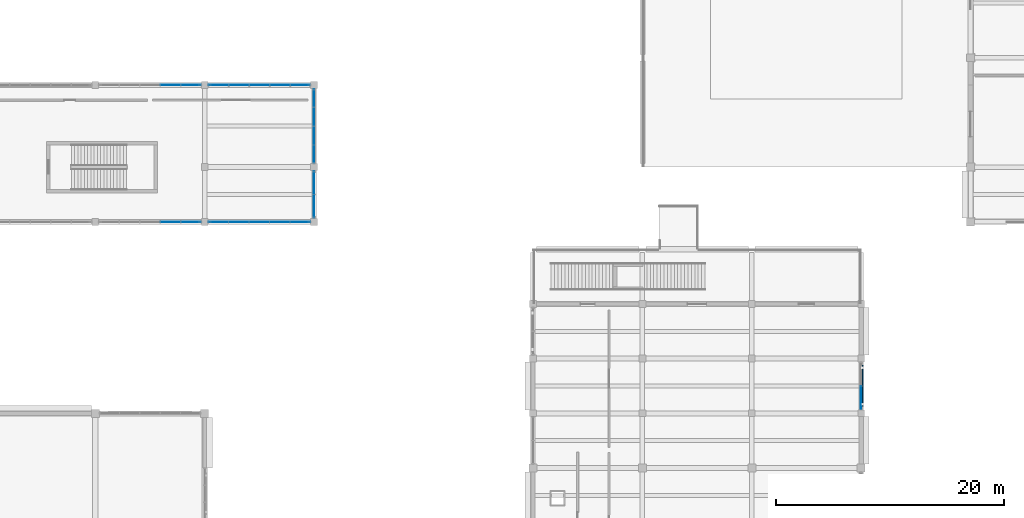
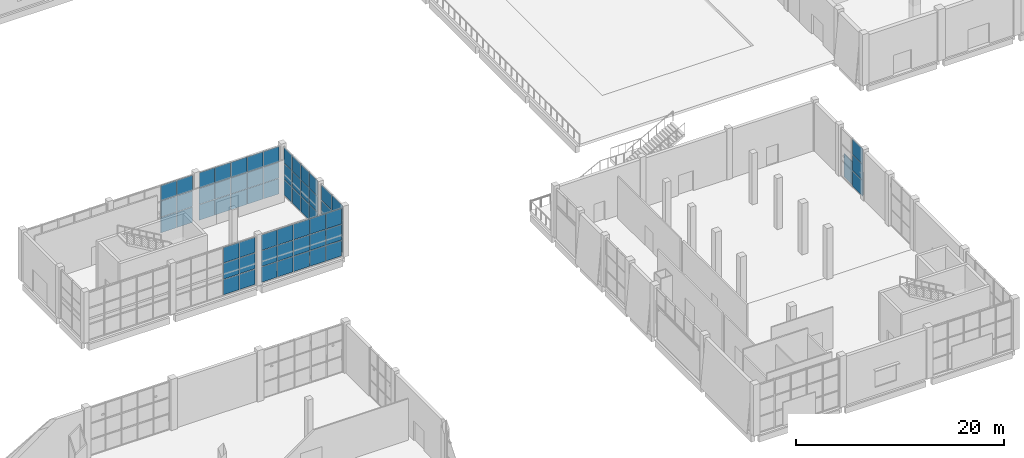
# One storey, part 44 of 84: 64 plates, 7 elements without a shape of their own.
"""IFC4 building model written with IfcOpenShell, lengths in metres."""

from ifc_helpers import new_model, si_unit, direction, frame, origin, origin_2d, place, context, subcontext, project, spatial, rectangle, extrude, material, layer, layer_set, type_object, element, aggregate, save


model = new_model("IFC4")

# Units and contexts
model_context = context("Model", 3, precision=1e-05, world=origin(), true_north=direction((0.0, 1.0)))
body_context = subcontext(model_context, "Body", "Model", "MODEL_VIEW")
ifc_project = project(units=[si_unit("LENGTHUNIT", "METRE"), si_unit("AREAUNIT", "SQUARE_METRE"), si_unit("VOLUMEUNIT", "CUBIC_METRE"), si_unit("PLANEANGLEUNIT", "RADIAN"), si_unit("MASSUNIT", "GRAM", prefix="KILO")], contexts=[model_context])

# Site, building, storey
site_placement = place(None, origin())
site = spatial("IfcSite", under=ifc_project, at=site_placement, CompositionType="ELEMENT")
building_placement = place(site_placement, origin())
building = spatial("IfcBuilding", under=site, at=building_placement, Name="Shalvenor Court Art Gallery", CompositionType="ELEMENT")
storey_placement = place(building_placement, origin())
storey = spatial("IfcBuildingStorey", under=building, at=storey_placement, Name="L00", CompositionType="ELEMENT", Elevation=0.0)

# Curtain wall, plates
ifc_material_1 = material(Name="Anodised aluminium and low-iron glass curtain wall", Category="aluminium")
curtain_wall_type_1 = type_object("IfcCurtainWallType", Name="CW-2x3-42-57-412", PredefinedType="USERDEFINED", material=ifc_material_1)
curtain_wall_1_placement = place(storey_placement, origin())
curtain_wall_1 = element("IfcCurtainWall", 1, at=curtain_wall_1_placement, inside=storey, type_object=curtain_wall_type_1, Name="L00 V3 Curtain Wall CW-L00-090", ObjectType="CURTAIN WALL", PredefinedType="USERDEFINED")
ifc_material_2 = material(Name="Low-iron triple-silver solar gallery glazing IGU", Category="glass")
ifc_layer_1 = layer(ifc_material_2, 0.031982421875, Name="Low-iron triple-silver solar gallery glazing IGU")
ifc_layer_set_1 = layer_set([ifc_layer_1], Name="Low-iron triple-silver solar gallery glazing IGU")
plate_type_1 = type_object("IfcPlateType", Name="CWP-02", PredefinedType="CURTAIN_PANEL", material=ifc_layer_set_1)
plate_1_placement = place(storey_placement, frame((124.800048828125, 30.168701171875, 0.06005859375), z_axis=(0.0, 0.0, 1.0), x_axis=(0.0, -1.0, 0.0)))
plate_1 = element("IfcPlate", 2, at=plate_1_placement, type_object=plate_type_1, Name="CW-2x3-42-57-412 panel 2.1", PredefinedType="CURTAIN_PANEL", context=body_context, shape_type="SweptSolid", body=[
    extrude(rectangle(XDim=1.987548828125, YDim=0.031982421875, at=origin_2d()), origin(), (0.0, 0.0, 1.0), 1.80322265625),
])
plate_2_placement = place(storey_placement, frame((124.800048828125, 30.168701171875, 1.92333984375), z_axis=(0.0, 0.0, 1.0), x_axis=(0.0, -1.0, 0.0)))
plate_2 = element("IfcPlate", 3, at=plate_2_placement, type_object=plate_type_1, Name="CW-2x3-42-57-412 panel 2.2", PredefinedType="CURTAIN_PANEL", context=body_context, shape_type="SweptSolid", body=[
    extrude(rectangle(XDim=1.987548828125, YDim=0.031982421875, at=origin_2d()), origin(), (0.0, 0.0, 1.0), 1.833251953125),
])
plate_3_placement = place(storey_placement, frame((124.800048828125, 30.168701171875, 3.816650390625), z_axis=(0.0, 0.0, 1.0), x_axis=(0.0, -1.0, 0.0)))
plate_3 = element("IfcPlate", 4, at=plate_3_placement, type_object=plate_type_1, Name="CW-2x3-42-57-412 panel 2.3", PredefinedType="CURTAIN_PANEL", context=body_context, shape_type="SweptSolid", body=[
    extrude(rectangle(XDim=1.987548828125, YDim=0.031982421875, at=origin_2d()), origin(), (0.0, 0.0, 1.0), 1.80322265625),
])
aggregate(curtain_wall_1, [plate_1, plate_2, plate_3])

ifc_material_3 = material(Name="Anodised aluminium and low-iron glass curtain wall", Category="aluminium")
curtain_wall_type_2 = type_object("IfcCurtainWallType", Name="CW-5x3-90-57-646", PredefinedType="USERDEFINED", material=ifc_material_3)
curtain_wall_2_placement = place(storey_placement, origin())
curtain_wall_2 = element("IfcCurtainWall", 5, at=curtain_wall_2_placement, inside=storey, type_object=curtain_wall_type_2, Name="L00 V6 Curtain Wall CW-L00-191", ObjectType="CURTAIN WALL", PredefinedType="USERDEFINED")
ifc_material_4 = material(Name="Solar-control laminated cloister glazing IGU", Category="glass")
ifc_layer_2 = layer(ifc_material_4, 0.0439453125, Name="Solar-control laminated cloister glazing IGU")
ifc_layer_set_2 = layer_set([ifc_layer_2], Name="Solar-control laminated cloister glazing IGU")
plate_type_2 = type_object("IfcPlateType", Name="CWP-06", PredefinedType="CURTAIN_PANEL", material=ifc_layer_set_2)
plate_4_placement = place(storey_placement, frame((64.199951171875, 57.60009765625, 0.06982421875), z_axis=(0.0, 0.0, 1.0), x_axis=(1.0, 0.0, 0.0)))
plate_4 = element("IfcPlate", 6, at=plate_4_placement, type_object=plate_type_2, Name="CW-5x3-90-57-646 panel 4.1", PredefinedType="CURTAIN_PANEL", context=body_context, shape_type="SweptSolid", body=[
    extrude(rectangle(XDim=1.7451171875, YDim=0.0439453125, at=origin_2d()), origin(), (0.0, 0.0, 1.0), 1.788330078125),
])
plate_5_placement = place(storey_placement, frame((64.199951171875, 57.60009765625, 1.928466796875), z_axis=(0.0, 0.0, 1.0), x_axis=(1.0, 0.0, 0.0)))
plate_5 = element("IfcPlate", 7, at=plate_5_placement, type_object=plate_type_2, Name="CW-5x3-90-57-646 panel 4.2", PredefinedType="CURTAIN_PANEL", context=body_context, shape_type="SweptSolid", body=[
    extrude(rectangle(XDim=1.7451171875, YDim=0.0439453125, at=origin_2d()), origin(), (0.0, 0.0, 1.0), 1.8232421875),
])
plate_6_placement = place(storey_placement, frame((64.199951171875, 57.60009765625, 3.82177734375), z_axis=(0.0, 0.0, 1.0), x_axis=(1.0, 0.0, 0.0)))
plate_6 = element("IfcPlate", 8, at=plate_6_placement, type_object=plate_type_2, Name="CW-5x3-90-57-646 panel 4.3", PredefinedType="CURTAIN_PANEL", context=body_context, shape_type="SweptSolid", body=[
    extrude(rectangle(XDim=1.7451171875, YDim=0.0439453125, at=origin_2d()), origin(), (0.0, 0.0, 1.0), 1.788330078125),
])
plate_7_placement = place(storey_placement, frame((65.986328125, 57.60009765625, 0.06982421875), z_axis=(0.0, 0.0, 1.0), x_axis=(1.0, 0.0, 0.0)))
plate_7 = element("IfcPlate", 9, at=plate_7_placement, type_object=plate_type_2, Name="CW-5x3-90-57-646 panel 5.1", PredefinedType="CURTAIN_PANEL", context=body_context, shape_type="SweptSolid", body=[
    extrude(rectangle(XDim=1.717529296875, YDim=0.0439453125, at=origin_2d()), origin(), (0.0, 0.0, 1.0), 1.788330078125),
])
plate_8_placement = place(storey_placement, frame((65.986328125, 57.60009765625, 1.928466796875), z_axis=(0.0, 0.0, 1.0), x_axis=(1.0, 0.0, 0.0)))
plate_8 = element("IfcPlate", 10, at=plate_8_placement, type_object=plate_type_2, Name="CW-5x3-90-57-646 panel 5.2", PredefinedType="CURTAIN_PANEL", context=body_context, shape_type="SweptSolid", body=[
    extrude(rectangle(XDim=1.717529296875, YDim=0.0439453125, at=origin_2d()), origin(), (0.0, 0.0, 1.0), 1.8232421875),
])
plate_9_placement = place(storey_placement, frame((65.986328125, 57.60009765625, 3.82177734375), z_axis=(0.0, 0.0, 1.0), x_axis=(1.0, 0.0, 0.0)))
plate_9 = element("IfcPlate", 11, at=plate_9_placement, type_object=plate_type_2, Name="CW-5x3-90-57-646 panel 5.3", PredefinedType="CURTAIN_PANEL", context=body_context, shape_type="SweptSolid", body=[
    extrude(rectangle(XDim=1.717529296875, YDim=0.0439453125, at=origin_2d()), origin(), (0.0, 0.0, 1.0), 1.788330078125),
])
aggregate(curtain_wall_2, [plate_4, plate_5, plate_6, plate_7, plate_8, plate_9])

ifc_material_5 = material(Name="Anodised aluminium and low-iron glass curtain wall", Category="aluminium")
curtain_wall_type_3 = type_object("IfcCurtainWallType", Name="CW-5x3-90-57-116", PredefinedType="USERDEFINED", material=ifc_material_5)
curtain_wall_3_placement = place(storey_placement, origin())
curtain_wall_3 = element("IfcCurtainWall", 12, at=curtain_wall_3_placement, inside=storey, type_object=curtain_wall_type_3, Name="L00 V6 Curtain Wall CW-L00-192", ObjectType="CURTAIN WALL", PredefinedType="USERDEFINED")
plate_10_placement = place(storey_placement, frame((68.416259765625, 57.60009765625, 0.06005859375), z_axis=(0.0, 0.0, 1.0), x_axis=(1.0, 0.0, 0.0)))
plate_10 = element("IfcPlate", 13, at=plate_10_placement, type_object=plate_type_2, Name="CW-5x3-90-57-116 panel 1.1", PredefinedType="CURTAIN_PANEL", context=body_context, shape_type="SweptSolid", body=[
    extrude(rectangle(XDim=1.702392578125, YDim=0.0439453125, at=origin_2d()), origin(), (0.0, 0.0, 1.0), 1.80322265625),
])
plate_11_placement = place(storey_placement, frame((68.416259765625, 57.60009765625, 1.92333984375), z_axis=(0.0, 0.0, 1.0), x_axis=(1.0, 0.0, 0.0)))
plate_11 = element("IfcPlate", 14, at=plate_11_placement, type_object=plate_type_2, Name="CW-5x3-90-57-116 panel 1.2", PredefinedType="CURTAIN_PANEL", context=body_context, shape_type="SweptSolid", body=[
    extrude(rectangle(XDim=1.702392578125, YDim=0.0439453125, at=origin_2d()), origin(), (0.0, 0.0, 1.0), 1.833251953125),
])
plate_12_placement = place(storey_placement, frame((68.416259765625, 57.60009765625, 3.816650390625), z_axis=(0.0, 0.0, 1.0), x_axis=(1.0, 0.0, 0.0)))
plate_12 = element("IfcPlate", 15, at=plate_12_placement, type_object=plate_type_2, Name="CW-5x3-90-57-116 panel 1.3", PredefinedType="CURTAIN_PANEL", context=body_context, shape_type="SweptSolid", body=[
    extrude(rectangle(XDim=1.702392578125, YDim=0.0439453125, at=origin_2d()), origin(), (0.0, 0.0, 1.0), 1.80322265625),
])
plate_13_placement = place(storey_placement, frame((70.199951171875, 57.60009765625, 0.06005859375), z_axis=(0.0, 0.0, 1.0), x_axis=(1.0, 0.0, 0.0)))
plate_13 = element("IfcPlate", 16, at=plate_13_placement, type_object=plate_type_2, Name="CW-5x3-90-57-116 panel 2.1", PredefinedType="CURTAIN_PANEL", context=body_context, shape_type="SweptSolid", body=[
    extrude(rectangle(XDim=1.735107421875, YDim=0.0439453125, at=origin_2d()), origin(), (0.0, 0.0, 1.0), 1.80322265625),
])
plate_14_placement = place(storey_placement, frame((70.199951171875, 57.60009765625, 1.92333984375), z_axis=(0.0, 0.0, 1.0), x_axis=(1.0, 0.0, 0.0)))
plate_14 = element("IfcPlate", 17, at=plate_14_placement, type_object=plate_type_2, Name="CW-5x3-90-57-116 panel 2.2", PredefinedType="CURTAIN_PANEL", context=body_context, shape_type="SweptSolid", body=[
    extrude(rectangle(XDim=1.735107421875, YDim=0.0439453125, at=origin_2d()), origin(), (0.0, 0.0, 1.0), 1.833251953125),
])
plate_15_placement = place(storey_placement, frame((70.199951171875, 57.60009765625, 3.816650390625), z_axis=(0.0, 0.0, 1.0), x_axis=(1.0, 0.0, 0.0)))
plate_15 = element("IfcPlate", 18, at=plate_15_placement, type_object=plate_type_2, Name="CW-5x3-90-57-116 panel 2.3", PredefinedType="CURTAIN_PANEL", context=body_context, shape_type="SweptSolid", body=[
    extrude(rectangle(XDim=1.735107421875, YDim=0.0439453125, at=origin_2d()), origin(), (0.0, 0.0, 1.0), 1.80322265625),
])
plate_16_placement = place(storey_placement, frame((72.0, 57.60009765625, 0.06005859375), z_axis=(0.0, 0.0, 1.0), x_axis=(1.0, 0.0, 0.0)))
plate_16 = element("IfcPlate", 19, at=plate_16_placement, type_object=plate_type_2, Name="CW-5x3-90-57-116 panel 3.1", PredefinedType="CURTAIN_PANEL", context=body_context, shape_type="SweptSolid", body=[
    extrude(rectangle(XDim=1.735107421875, YDim=0.0439453125, at=origin_2d()), origin(), (0.0, 0.0, 1.0), 1.80322265625),
])
plate_17_placement = place(storey_placement, frame((72.0, 57.60009765625, 1.92333984375), z_axis=(0.0, 0.0, 1.0), x_axis=(1.0, 0.0, 0.0)))
plate_17 = element("IfcPlate", 20, at=plate_17_placement, type_object=plate_type_2, Name="CW-5x3-90-57-116 panel 3.2", PredefinedType="CURTAIN_PANEL", context=body_context, shape_type="SweptSolid", body=[
    extrude(rectangle(XDim=1.735107421875, YDim=0.0439453125, at=origin_2d()), origin(), (0.0, 0.0, 1.0), 1.833251953125),
])
plate_18_placement = place(storey_placement, frame((72.0, 57.60009765625, 3.816650390625), z_axis=(0.0, 0.0, 1.0), x_axis=(1.0, 0.0, 0.0)))
plate_18 = element("IfcPlate", 21, at=plate_18_placement, type_object=plate_type_2, Name="CW-5x3-90-57-116 panel 3.3", PredefinedType="CURTAIN_PANEL", context=body_context, shape_type="SweptSolid", body=[
    extrude(rectangle(XDim=1.735107421875, YDim=0.0439453125, at=origin_2d()), origin(), (0.0, 0.0, 1.0), 1.80322265625),
])
plate_19_placement = place(storey_placement, frame((73.800048828125, 57.60009765625, 0.06005859375), z_axis=(0.0, 0.0, 1.0), x_axis=(1.0, 0.0, 0.0)))
plate_19 = element("IfcPlate", 22, at=plate_19_placement, type_object=plate_type_2, Name="CW-5x3-90-57-116 panel 4.1", PredefinedType="CURTAIN_PANEL", context=body_context, shape_type="SweptSolid", body=[
    extrude(rectangle(XDim=1.735107421875, YDim=0.0439453125, at=origin_2d()), origin(), (0.0, 0.0, 1.0), 1.80322265625),
])
plate_20_placement = place(storey_placement, frame((73.800048828125, 57.60009765625, 1.92333984375), z_axis=(0.0, 0.0, 1.0), x_axis=(1.0, 0.0, 0.0)))
plate_20 = element("IfcPlate", 23, at=plate_20_placement, type_object=plate_type_2, Name="CW-5x3-90-57-116 panel 4.2", PredefinedType="CURTAIN_PANEL", context=body_context, shape_type="SweptSolid", body=[
    extrude(rectangle(XDim=1.735107421875, YDim=0.0439453125, at=origin_2d()), origin(), (0.0, 0.0, 1.0), 1.833251953125),
])
plate_21_placement = place(storey_placement, frame((73.800048828125, 57.60009765625, 3.816650390625), z_axis=(0.0, 0.0, 1.0), x_axis=(1.0, 0.0, 0.0)))
plate_21 = element("IfcPlate", 24, at=plate_21_placement, type_object=plate_type_2, Name="CW-5x3-90-57-116 panel 4.3", PredefinedType="CURTAIN_PANEL", context=body_context, shape_type="SweptSolid", body=[
    extrude(rectangle(XDim=1.735107421875, YDim=0.0439453125, at=origin_2d()), origin(), (0.0, 0.0, 1.0), 1.80322265625),
])
plate_22_placement = place(storey_placement, frame((75.583740234375, 57.60009765625, 0.06005859375), z_axis=(0.0, 0.0, 1.0), x_axis=(1.0, 0.0, 0.0)))
plate_22 = element("IfcPlate", 25, at=plate_22_placement, type_object=plate_type_2, Name="CW-5x3-90-57-116 panel 5.1", PredefinedType="CURTAIN_PANEL", context=body_context, shape_type="SweptSolid", body=[
    extrude(rectangle(XDim=1.702392578125, YDim=0.0439453125, at=origin_2d()), origin(), (0.0, 0.0, 1.0), 1.80322265625),
])
plate_23_placement = place(storey_placement, frame((75.583740234375, 57.60009765625, 1.92333984375), z_axis=(0.0, 0.0, 1.0), x_axis=(1.0, 0.0, 0.0)))
plate_23 = element("IfcPlate", 26, at=plate_23_placement, type_object=plate_type_2, Name="CW-5x3-90-57-116 panel 5.2", PredefinedType="CURTAIN_PANEL", context=body_context, shape_type="SweptSolid", body=[
    extrude(rectangle(XDim=1.702392578125, YDim=0.0439453125, at=origin_2d()), origin(), (0.0, 0.0, 1.0), 1.833251953125),
])
plate_24_placement = place(storey_placement, frame((75.583740234375, 57.60009765625, 3.816650390625), z_axis=(0.0, 0.0, 1.0), x_axis=(1.0, 0.0, 0.0)))
plate_24 = element("IfcPlate", 27, at=plate_24_placement, type_object=plate_type_2, Name="CW-5x3-90-57-116 panel 5.3", PredefinedType="CURTAIN_PANEL", context=body_context, shape_type="SweptSolid", body=[
    extrude(rectangle(XDim=1.702392578125, YDim=0.0439453125, at=origin_2d()), origin(), (0.0, 0.0, 1.0), 1.80322265625),
])
aggregate(curtain_wall_3, [plate_10, plate_11, plate_12, plate_13, plate_14, plate_15, plate_16, plate_17, plate_18, plate_19, plate_20, plate_21, plate_22, plate_23, plate_24])

ifc_material_6 = material(Name="Anodised aluminium and low-iron glass curtain wall", Category="aluminium")
curtain_wall_type_4 = type_object("IfcCurtainWallType", Name="CW-4x3-66-57-226", PredefinedType="USERDEFINED", material=ifc_material_6)
curtain_wall_4_placement = place(storey_placement, origin())
curtain_wall_4 = element("IfcCurtainWall", 28, at=curtain_wall_4_placement, inside=storey, type_object=curtain_wall_type_4, Name="L00 V6 Curtain Wall CW-L00-193", ObjectType="CURTAIN WALL", PredefinedType="USERDEFINED")
plate_25_placement = place(storey_placement, frame((76.800048828125, 56.45751953125, 0.06494140625), z_axis=(0.0, 0.0, 1.0), x_axis=(0.0, -1.0, 0.0)))
plate_25 = element("IfcPlate", 29, at=plate_25_placement, type_object=plate_type_2, Name="CW-4x3-66-57-226 panel 1.1", PredefinedType="CURTAIN_PANEL", context=body_context, shape_type="SweptSolid", body=[
    extrude(rectangle(XDim=1.544921875, YDim=0.0439453125, at=origin_2d()), origin(), (0.0, 0.0, 1.0), 1.7958984375),
])
plate_26_placement = place(storey_placement, frame((76.800048828125, 56.45751953125, 1.92578125), z_axis=(0.0, 0.0, 1.0), x_axis=(0.0, -1.0, 0.0)))
plate_26 = element("IfcPlate", 30, at=plate_26_placement, type_object=plate_type_2, Name="CW-4x3-66-57-226 panel 1.2", PredefinedType="CURTAIN_PANEL", context=body_context, shape_type="SweptSolid", body=[
    extrude(rectangle(XDim=1.544921875, YDim=0.0439453125, at=origin_2d()), origin(), (0.0, 0.0, 1.0), 1.828369140625),
])
plate_27_placement = place(storey_placement, frame((76.800048828125, 56.45751953125, 3.819091796875), z_axis=(0.0, 0.0, 1.0), x_axis=(0.0, -1.0, 0.0)))
plate_27 = element("IfcPlate", 31, at=plate_27_placement, type_object=plate_type_2, Name="CW-4x3-66-57-226 panel 1.3", PredefinedType="CURTAIN_PANEL", context=body_context, shape_type="SweptSolid", body=[
    extrude(rectangle(XDim=1.544921875, YDim=0.0439453125, at=origin_2d()), origin(), (0.0, 0.0, 1.0), 1.7958984375),
])
plate_28_placement = place(storey_placement, frame((76.800048828125, 54.824951171875, 0.06494140625), z_axis=(0.0, 0.0, 1.0), x_axis=(0.0, -1.0, 0.0)))
plate_28 = element("IfcPlate", 32, at=plate_28_placement, type_object=plate_type_2, Name="CW-4x3-66-57-226 panel 2.1", PredefinedType="CURTAIN_PANEL", context=body_context, shape_type="SweptSolid", body=[
    extrude(rectangle(XDim=1.580078125, YDim=0.0439453125, at=origin_2d()), origin(), (0.0, 0.0, 1.0), 1.7958984375),
])
plate_29_placement = place(storey_placement, frame((76.800048828125, 54.824951171875, 1.92578125), z_axis=(0.0, 0.0, 1.0), x_axis=(0.0, -1.0, 0.0)))
plate_29 = element("IfcPlate", 33, at=plate_29_placement, type_object=plate_type_2, Name="CW-4x3-66-57-226 panel 2.2", PredefinedType="CURTAIN_PANEL", context=body_context, shape_type="SweptSolid", body=[
    extrude(rectangle(XDim=1.580078125, YDim=0.0439453125, at=origin_2d()), origin(), (0.0, 0.0, 1.0), 1.828369140625),
])
plate_30_placement = place(storey_placement, frame((76.800048828125, 54.824951171875, 3.819091796875), z_axis=(0.0, 0.0, 1.0), x_axis=(0.0, -1.0, 0.0)))
plate_30 = element("IfcPlate", 34, at=plate_30_placement, type_object=plate_type_2, Name="CW-4x3-66-57-226 panel 2.3", PredefinedType="CURTAIN_PANEL", context=body_context, shape_type="SweptSolid", body=[
    extrude(rectangle(XDim=1.580078125, YDim=0.0439453125, at=origin_2d()), origin(), (0.0, 0.0, 1.0), 1.7958984375),
])
plate_31_placement = place(storey_placement, frame((76.800048828125, 53.175048828125, 0.06494140625), z_axis=(0.0, 0.0, 1.0), x_axis=(0.0, -1.0, 0.0)))
plate_31 = element("IfcPlate", 35, at=plate_31_placement, type_object=plate_type_2, Name="CW-4x3-66-57-226 panel 3.1", PredefinedType="CURTAIN_PANEL", context=body_context, shape_type="SweptSolid", body=[
    extrude(rectangle(XDim=1.580078125, YDim=0.0439453125, at=origin_2d()), origin(), (0.0, 0.0, 1.0), 1.7958984375),
])
plate_32_placement = place(storey_placement, frame((76.800048828125, 53.175048828125, 1.92578125), z_axis=(0.0, 0.0, 1.0), x_axis=(0.0, -1.0, 0.0)))
plate_32 = element("IfcPlate", 36, at=plate_32_placement, type_object=plate_type_2, Name="CW-4x3-66-57-226 panel 3.2", PredefinedType="CURTAIN_PANEL", context=body_context, shape_type="SweptSolid", body=[
    extrude(rectangle(XDim=1.580078125, YDim=0.0439453125, at=origin_2d()), origin(), (0.0, 0.0, 1.0), 1.828369140625),
])
plate_33_placement = place(storey_placement, frame((76.800048828125, 53.175048828125, 3.819091796875), z_axis=(0.0, 0.0, 1.0), x_axis=(0.0, -1.0, 0.0)))
plate_33 = element("IfcPlate", 37, at=plate_33_placement, type_object=plate_type_2, Name="CW-4x3-66-57-226 panel 3.3", PredefinedType="CURTAIN_PANEL", context=body_context, shape_type="SweptSolid", body=[
    extrude(rectangle(XDim=1.580078125, YDim=0.0439453125, at=origin_2d()), origin(), (0.0, 0.0, 1.0), 1.7958984375),
])
plate_34_placement = place(storey_placement, frame((76.800048828125, 51.54248046875, 0.06494140625), z_axis=(0.0, 0.0, 1.0), x_axis=(0.0, -1.0, 0.0)))
plate_34 = element("IfcPlate", 38, at=plate_34_placement, type_object=plate_type_2, Name="CW-4x3-66-57-226 panel 4.1", PredefinedType="CURTAIN_PANEL", context=body_context, shape_type="SweptSolid", body=[
    extrude(rectangle(XDim=1.544921875, YDim=0.0439453125, at=origin_2d()), origin(), (0.0, 0.0, 1.0), 1.7958984375),
])
plate_35_placement = place(storey_placement, frame((76.800048828125, 51.54248046875, 1.92578125), z_axis=(0.0, 0.0, 1.0), x_axis=(0.0, -1.0, 0.0)))
plate_35 = element("IfcPlate", 39, at=plate_35_placement, type_object=plate_type_2, Name="CW-4x3-66-57-226 panel 4.2", PredefinedType="CURTAIN_PANEL", context=body_context, shape_type="SweptSolid", body=[
    extrude(rectangle(XDim=1.544921875, YDim=0.0439453125, at=origin_2d()), origin(), (0.0, 0.0, 1.0), 1.828369140625),
])
plate_36_placement = place(storey_placement, frame((76.800048828125, 51.54248046875, 3.819091796875), z_axis=(0.0, 0.0, 1.0), x_axis=(0.0, -1.0, 0.0)))
plate_36 = element("IfcPlate", 40, at=plate_36_placement, type_object=plate_type_2, Name="CW-4x3-66-57-226 panel 4.3", PredefinedType="CURTAIN_PANEL", context=body_context, shape_type="SweptSolid", body=[
    extrude(rectangle(XDim=1.544921875, YDim=0.0439453125, at=origin_2d()), origin(), (0.0, 0.0, 1.0), 1.7958984375),
])
aggregate(curtain_wall_4, [plate_25, plate_26, plate_27, plate_28, plate_29, plate_30, plate_31, plate_32, plate_33, plate_34, plate_35, plate_36])

ifc_material_7 = material(Name="Anodised aluminium and low-iron glass curtain wall", Category="aluminium")
curtain_wall_type_5 = type_object("IfcCurtainWallType", Name="CW-2x3-42-57-446", PredefinedType="USERDEFINED", material=ifc_material_7)
curtain_wall_5_placement = place(storey_placement, origin())
curtain_wall_5 = element("IfcCurtainWall", 41, at=curtain_wall_5_placement, inside=storey, type_object=curtain_wall_type_5, Name="L00 V6 Curtain Wall CW-L00-194", ObjectType="CURTAIN WALL", PredefinedType="USERDEFINED")
plate_37_placement = place(storey_placement, frame((76.800048828125, 49.03125, 0.06982421875), z_axis=(0.0, 0.0, 1.0), x_axis=(0.0, -1.0, 0.0)))
plate_37 = element("IfcPlate", 42, at=plate_37_placement, type_object=plate_type_2, Name="CW-2x3-42-57-446 panel 1.1", PredefinedType="CURTAIN_PANEL", context=body_context, shape_type="SweptSolid", body=[
    extrude(rectangle(XDim=1.987548828125, YDim=0.0439453125, at=origin_2d()), origin(), (0.0, 0.0, 1.0), 1.788330078125),
])
plate_38_placement = place(storey_placement, frame((76.800048828125, 49.03125, 1.928466796875), z_axis=(0.0, 0.0, 1.0), x_axis=(0.0, -1.0, 0.0)))
plate_38 = element("IfcPlate", 43, at=plate_38_placement, type_object=plate_type_2, Name="CW-2x3-42-57-446 panel 1.2", PredefinedType="CURTAIN_PANEL", context=body_context, shape_type="SweptSolid", body=[
    extrude(rectangle(XDim=1.987548828125, YDim=0.0439453125, at=origin_2d()), origin(), (0.0, 0.0, 1.0), 1.8232421875),
])
plate_39_placement = place(storey_placement, frame((76.800048828125, 49.03125, 3.82177734375), z_axis=(0.0, 0.0, 1.0), x_axis=(0.0, -1.0, 0.0)))
plate_39 = element("IfcPlate", 44, at=plate_39_placement, type_object=plate_type_2, Name="CW-2x3-42-57-446 panel 1.3", PredefinedType="CURTAIN_PANEL", context=body_context, shape_type="SweptSolid", body=[
    extrude(rectangle(XDim=1.987548828125, YDim=0.0439453125, at=origin_2d()), origin(), (0.0, 0.0, 1.0), 1.788330078125),
])
plate_40_placement = place(storey_placement, frame((76.800048828125, 46.96875, 0.06982421875), z_axis=(0.0, 0.0, 1.0), x_axis=(0.0, -1.0, 0.0)))
plate_40 = element("IfcPlate", 45, at=plate_40_placement, type_object=plate_type_2, Name="CW-2x3-42-57-446 panel 2.1", PredefinedType="CURTAIN_PANEL", context=body_context, shape_type="SweptSolid", body=[
    extrude(rectangle(XDim=1.987548828125, YDim=0.0439453125, at=origin_2d()), origin(), (0.0, 0.0, 1.0), 1.788330078125),
])
plate_41_placement = place(storey_placement, frame((76.800048828125, 46.96875, 1.928466796875), z_axis=(0.0, 0.0, 1.0), x_axis=(0.0, -1.0, 0.0)))
plate_41 = element("IfcPlate", 46, at=plate_41_placement, type_object=plate_type_2, Name="CW-2x3-42-57-446 panel 2.2", PredefinedType="CURTAIN_PANEL", context=body_context, shape_type="SweptSolid", body=[
    extrude(rectangle(XDim=1.987548828125, YDim=0.0439453125, at=origin_2d()), origin(), (0.0, 0.0, 1.0), 1.8232421875),
])
plate_42_placement = place(storey_placement, frame((76.800048828125, 46.96875, 3.82177734375), z_axis=(0.0, 0.0, 1.0), x_axis=(0.0, -1.0, 0.0)))
plate_42 = element("IfcPlate", 47, at=plate_42_placement, type_object=plate_type_2, Name="CW-2x3-42-57-446 panel 2.3", PredefinedType="CURTAIN_PANEL", context=body_context, shape_type="SweptSolid", body=[
    extrude(rectangle(XDim=1.987548828125, YDim=0.0439453125, at=origin_2d()), origin(), (0.0, 0.0, 1.0), 1.788330078125),
])
aggregate(curtain_wall_5, [plate_37, plate_38, plate_39, plate_40, plate_41, plate_42])

ifc_material_8 = material(Name="Anodised aluminium and low-iron glass curtain wall", Category="aluminium")
curtain_wall_type_6 = type_object("IfcCurtainWallType", Name="CW-5x3-90-57-616", PredefinedType="USERDEFINED", material=ifc_material_8)
curtain_wall_6_placement = place(storey_placement, origin())
curtain_wall_6 = element("IfcCurtainWall", 48, at=curtain_wall_6_placement, inside=storey, type_object=curtain_wall_type_6, Name="L00 V6 Curtain Wall CW-L00-195", ObjectType="CURTAIN WALL", PredefinedType="USERDEFINED")
plate_43_placement = place(storey_placement, frame((75.586181640625, 45.60009765625, 0.06005859375), z_axis=(0.0, 0.0, 1.0), x_axis=(-1.0, 0.0, 0.0)))
plate_43 = element("IfcPlate", 49, at=plate_43_placement, type_object=plate_type_2, Name="CW-5x3-90-57-616 panel 1.1", PredefinedType="CURTAIN_PANEL", context=body_context, shape_type="SweptSolid", body=[
    extrude(rectangle(XDim=1.717529296875, YDim=0.0439453125, at=origin_2d()), origin(), (0.0, 0.0, 1.0), 1.80322265625),
])
plate_44_placement = place(storey_placement, frame((75.586181640625, 45.60009765625, 1.92333984375), z_axis=(0.0, 0.0, 1.0), x_axis=(-1.0, 0.0, 0.0)))
plate_44 = element("IfcPlate", 50, at=plate_44_placement, type_object=plate_type_2, Name="CW-5x3-90-57-616 panel 1.2", PredefinedType="CURTAIN_PANEL", context=body_context, shape_type="SweptSolid", body=[
    extrude(rectangle(XDim=1.717529296875, YDim=0.0439453125, at=origin_2d()), origin(), (0.0, 0.0, 1.0), 1.833251953125),
])
plate_45_placement = place(storey_placement, frame((75.586181640625, 45.60009765625, 3.816650390625), z_axis=(0.0, 0.0, 1.0), x_axis=(-1.0, 0.0, 0.0)))
plate_45 = element("IfcPlate", 51, at=plate_45_placement, type_object=plate_type_2, Name="CW-5x3-90-57-616 panel 1.3", PredefinedType="CURTAIN_PANEL", context=body_context, shape_type="SweptSolid", body=[
    extrude(rectangle(XDim=1.717529296875, YDim=0.0439453125, at=origin_2d()), origin(), (0.0, 0.0, 1.0), 1.80322265625),
])
plate_46_placement = place(storey_placement, frame((73.800048828125, 45.60009765625, 0.06005859375), z_axis=(0.0, 0.0, 1.0), x_axis=(-1.0, 0.0, 0.0)))
plate_46 = element("IfcPlate", 52, at=plate_46_placement, type_object=plate_type_2, Name="CW-5x3-90-57-616 panel 2.1", PredefinedType="CURTAIN_PANEL", context=body_context, shape_type="SweptSolid", body=[
    extrude(rectangle(XDim=1.7451171875, YDim=0.0439453125, at=origin_2d()), origin(), (0.0, 0.0, 1.0), 1.80322265625),
])
plate_47_placement = place(storey_placement, frame((73.800048828125, 45.60009765625, 1.92333984375), z_axis=(0.0, 0.0, 1.0), x_axis=(-1.0, 0.0, 0.0)))
plate_47 = element("IfcPlate", 53, at=plate_47_placement, type_object=plate_type_2, Name="CW-5x3-90-57-616 panel 2.2", PredefinedType="CURTAIN_PANEL", context=body_context, shape_type="SweptSolid", body=[
    extrude(rectangle(XDim=1.7451171875, YDim=0.0439453125, at=origin_2d()), origin(), (0.0, 0.0, 1.0), 1.833251953125),
])
plate_48_placement = place(storey_placement, frame((73.800048828125, 45.60009765625, 3.816650390625), z_axis=(0.0, 0.0, 1.0), x_axis=(-1.0, 0.0, 0.0)))
plate_48 = element("IfcPlate", 54, at=plate_48_placement, type_object=plate_type_2, Name="CW-5x3-90-57-616 panel 2.3", PredefinedType="CURTAIN_PANEL", context=body_context, shape_type="SweptSolid", body=[
    extrude(rectangle(XDim=1.7451171875, YDim=0.0439453125, at=origin_2d()), origin(), (0.0, 0.0, 1.0), 1.80322265625),
])
plate_49_placement = place(storey_placement, frame((72.0, 45.60009765625, 0.06005859375), z_axis=(0.0, 0.0, 1.0), x_axis=(-1.0, 0.0, 0.0)))
plate_49 = element("IfcPlate", 55, at=plate_49_placement, type_object=plate_type_2, Name="CW-5x3-90-57-616 panel 3.1", PredefinedType="CURTAIN_PANEL", context=body_context, shape_type="SweptSolid", body=[
    extrude(rectangle(XDim=1.7451171875, YDim=0.0439453125, at=origin_2d()), origin(), (0.0, 0.0, 1.0), 1.80322265625),
])
plate_50_placement = place(storey_placement, frame((72.0, 45.60009765625, 1.92333984375), z_axis=(0.0, 0.0, 1.0), x_axis=(-1.0, 0.0, 0.0)))
plate_50 = element("IfcPlate", 56, at=plate_50_placement, type_object=plate_type_2, Name="CW-5x3-90-57-616 panel 3.2", PredefinedType="CURTAIN_PANEL", context=body_context, shape_type="SweptSolid", body=[
    extrude(rectangle(XDim=1.7451171875, YDim=0.0439453125, at=origin_2d()), origin(), (0.0, 0.0, 1.0), 1.833251953125),
])
plate_51_placement = place(storey_placement, frame((72.0, 45.60009765625, 3.816650390625), z_axis=(0.0, 0.0, 1.0), x_axis=(-1.0, 0.0, 0.0)))
plate_51 = element("IfcPlate", 57, at=plate_51_placement, type_object=plate_type_2, Name="CW-5x3-90-57-616 panel 3.3", PredefinedType="CURTAIN_PANEL", context=body_context, shape_type="SweptSolid", body=[
    extrude(rectangle(XDim=1.7451171875, YDim=0.0439453125, at=origin_2d()), origin(), (0.0, 0.0, 1.0), 1.80322265625),
])
plate_52_placement = place(storey_placement, frame((70.199951171875, 45.60009765625, 0.06005859375), z_axis=(0.0, 0.0, 1.0), x_axis=(-1.0, 0.0, 0.0)))
plate_52 = element("IfcPlate", 58, at=plate_52_placement, type_object=plate_type_2, Name="CW-5x3-90-57-616 panel 4.1", PredefinedType="CURTAIN_PANEL", context=body_context, shape_type="SweptSolid", body=[
    extrude(rectangle(XDim=1.7451171875, YDim=0.0439453125, at=origin_2d()), origin(), (0.0, 0.0, 1.0), 1.80322265625),
])
plate_53_placement = place(storey_placement, frame((70.199951171875, 45.60009765625, 1.92333984375), z_axis=(0.0, 0.0, 1.0), x_axis=(-1.0, 0.0, 0.0)))
plate_53 = element("IfcPlate", 59, at=plate_53_placement, type_object=plate_type_2, Name="CW-5x3-90-57-616 panel 4.2", PredefinedType="CURTAIN_PANEL", context=body_context, shape_type="SweptSolid", body=[
    extrude(rectangle(XDim=1.7451171875, YDim=0.0439453125, at=origin_2d()), origin(), (0.0, 0.0, 1.0), 1.833251953125),
])
plate_54_placement = place(storey_placement, frame((70.199951171875, 45.60009765625, 3.816650390625), z_axis=(0.0, 0.0, 1.0), x_axis=(-1.0, 0.0, 0.0)))
plate_54 = element("IfcPlate", 60, at=plate_54_placement, type_object=plate_type_2, Name="CW-5x3-90-57-616 panel 4.3", PredefinedType="CURTAIN_PANEL", context=body_context, shape_type="SweptSolid", body=[
    extrude(rectangle(XDim=1.7451171875, YDim=0.0439453125, at=origin_2d()), origin(), (0.0, 0.0, 1.0), 1.80322265625),
])
plate_55_placement = place(storey_placement, frame((68.413818359375, 45.60009765625, 0.06005859375), z_axis=(0.0, 0.0, 1.0), x_axis=(-1.0, 0.0, 0.0)))
plate_55 = element("IfcPlate", 61, at=plate_55_placement, type_object=plate_type_2, Name="CW-5x3-90-57-616 panel 5.1", PredefinedType="CURTAIN_PANEL", context=body_context, shape_type="SweptSolid", body=[
    extrude(rectangle(XDim=1.717529296875, YDim=0.0439453125, at=origin_2d()), origin(), (0.0, 0.0, 1.0), 1.80322265625),
])
plate_56_placement = place(storey_placement, frame((68.413818359375, 45.60009765625, 1.92333984375), z_axis=(0.0, 0.0, 1.0), x_axis=(-1.0, 0.0, 0.0)))
plate_56 = element("IfcPlate", 62, at=plate_56_placement, type_object=plate_type_2, Name="CW-5x3-90-57-616 panel 5.2", PredefinedType="CURTAIN_PANEL", context=body_context, shape_type="SweptSolid", body=[
    extrude(rectangle(XDim=1.717529296875, YDim=0.0439453125, at=origin_2d()), origin(), (0.0, 0.0, 1.0), 1.833251953125),
])
plate_57_placement = place(storey_placement, frame((68.413818359375, 45.60009765625, 3.816650390625), z_axis=(0.0, 0.0, 1.0), x_axis=(-1.0, 0.0, 0.0)))
plate_57 = element("IfcPlate", 63, at=plate_57_placement, type_object=plate_type_2, Name="CW-5x3-90-57-616 panel 5.3", PredefinedType="CURTAIN_PANEL", context=body_context, shape_type="SweptSolid", body=[
    extrude(rectangle(XDim=1.717529296875, YDim=0.0439453125, at=origin_2d()), origin(), (0.0, 0.0, 1.0), 1.80322265625),
])
aggregate(curtain_wall_6, [plate_43, plate_44, plate_45, plate_46, plate_47, plate_48, plate_49, plate_50, plate_51, plate_52, plate_53, plate_54, plate_55, plate_56, plate_57])

ifc_material_9 = material(Name="Anodised aluminium and low-iron glass curtain wall", Category="aluminium")
curtain_wall_type_7 = type_object("IfcCurtainWallType", Name="CW-5x3-90-57-126", PredefinedType="USERDEFINED", material=ifc_material_9)
curtain_wall_7_placement = place(storey_placement, origin())
curtain_wall_7 = element("IfcCurtainWall", 64, at=curtain_wall_7_placement, inside=storey, type_object=curtain_wall_type_7, Name="L00 V6 Curtain Wall CW-L00-196", ObjectType="CURTAIN WALL", PredefinedType="USERDEFINED")
plate_58_placement = place(storey_placement, frame((65.983642578125, 45.60009765625, 0.06494140625), z_axis=(0.0, 0.0, 1.0), x_axis=(-1.0, 0.0, 0.0)))
plate_58 = element("IfcPlate", 65, at=plate_58_placement, type_object=plate_type_2, Name="CW-5x3-90-57-126 panel 1.1", PredefinedType="CURTAIN_PANEL", context=body_context, shape_type="SweptSolid", body=[
    extrude(rectangle(XDim=1.702392578125, YDim=0.0439453125, at=origin_2d()), origin(), (0.0, 0.0, 1.0), 1.7958984375),
])
plate_59_placement = place(storey_placement, frame((65.983642578125, 45.60009765625, 1.92578125), z_axis=(0.0, 0.0, 1.0), x_axis=(-1.0, 0.0, 0.0)))
plate_59 = element("IfcPlate", 66, at=plate_59_placement, type_object=plate_type_2, Name="CW-5x3-90-57-126 panel 1.2", PredefinedType="CURTAIN_PANEL", context=body_context, shape_type="SweptSolid", body=[
    extrude(rectangle(XDim=1.702392578125, YDim=0.0439453125, at=origin_2d()), origin(), (0.0, 0.0, 1.0), 1.828369140625),
])
plate_60_placement = place(storey_placement, frame((65.983642578125, 45.60009765625, 3.819091796875), z_axis=(0.0, 0.0, 1.0), x_axis=(-1.0, 0.0, 0.0)))
plate_60 = element("IfcPlate", 67, at=plate_60_placement, type_object=plate_type_2, Name="CW-5x3-90-57-126 panel 1.3", PredefinedType="CURTAIN_PANEL", context=body_context, shape_type="SweptSolid", body=[
    extrude(rectangle(XDim=1.702392578125, YDim=0.0439453125, at=origin_2d()), origin(), (0.0, 0.0, 1.0), 1.7958984375),
])
plate_61_placement = place(storey_placement, frame((64.199951171875, 45.60009765625, 0.06494140625), z_axis=(0.0, 0.0, 1.0), x_axis=(-1.0, 0.0, 0.0)))
plate_61 = element("IfcPlate", 68, at=plate_61_placement, type_object=plate_type_2, Name="CW-5x3-90-57-126 panel 2.1", PredefinedType="CURTAIN_PANEL", context=body_context, shape_type="SweptSolid", body=[
    extrude(rectangle(XDim=1.735107421875, YDim=0.0439453125, at=origin_2d()), origin(), (0.0, 0.0, 1.0), 1.7958984375),
])
plate_62_placement = place(storey_placement, frame((64.199951171875, 45.60009765625, 1.92578125), z_axis=(0.0, 0.0, 1.0), x_axis=(-1.0, 0.0, 0.0)))
plate_62 = element("IfcPlate", 69, at=plate_62_placement, type_object=plate_type_2, Name="CW-5x3-90-57-126 panel 2.2", PredefinedType="CURTAIN_PANEL", context=body_context, shape_type="SweptSolid", body=[
    extrude(rectangle(XDim=1.735107421875, YDim=0.0439453125, at=origin_2d()), origin(), (0.0, 0.0, 1.0), 1.828369140625),
])
plate_63_placement = place(storey_placement, frame((64.199951171875, 45.60009765625, 3.819091796875), z_axis=(0.0, 0.0, 1.0), x_axis=(-1.0, 0.0, 0.0)))
plate_63 = element("IfcPlate", 70, at=plate_63_placement, type_object=plate_type_2, Name="CW-5x3-90-57-126 panel 2.3", PredefinedType="CURTAIN_PANEL", context=body_context, shape_type="SweptSolid", body=[
    extrude(rectangle(XDim=1.735107421875, YDim=0.0439453125, at=origin_2d()), origin(), (0.0, 0.0, 1.0), 1.7958984375),
])
aggregate(curtain_wall_7, [plate_58, plate_59, plate_60, plate_61, plate_62, plate_63])

# Plate
ifc_material_10 = material(Name="Perforated pale limestone GRC lattice", Category="masonry")
ifc_layer_3 = layer(ifc_material_10, 0.090087890625, Name="Perforated pale limestone GRC lattice")
ifc_layer_set_3 = layer_set([ifc_layer_3], Name="Perforated pale limestone GRC lattice")
plate_type_3 = type_object("IfcPlateType", Name="SCR-10", PredefinedType="USERDEFINED", material=ifc_layer_set_3)
plate_64_placement = place(storey_placement, frame((124.952880859375, 31.199951171875, 0.0), z_axis=(0.0, 0.0, 1.0), x_axis=(0.0, -1.0, 0.0)))
element("IfcPlate", 71, at=plate_64_placement, inside=storey, type_object=plate_type_3, Name="L00 V3 Perforated Stone Lattice Screen PLT-SCR-0077", ObjectType="SCREEN", PredefinedType="USERDEFINED", context=body_context, shape_type="SweptSolid", body=[
    extrude(rectangle(XDim=3.60009765625, YDim=0.090087890625, at=origin_2d()), origin(), (0.0, 0.0, 1.0), 2.699951171875),
])

save(model, "model.ifc")
